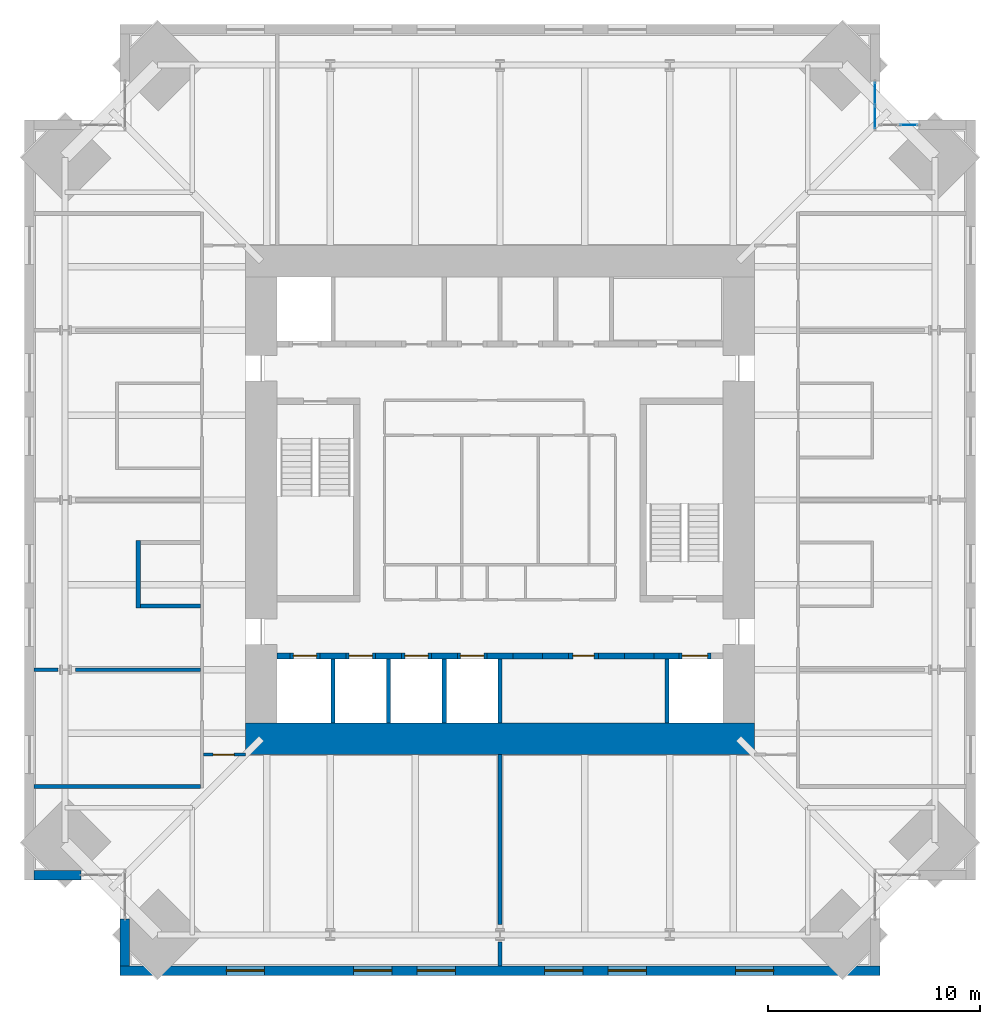
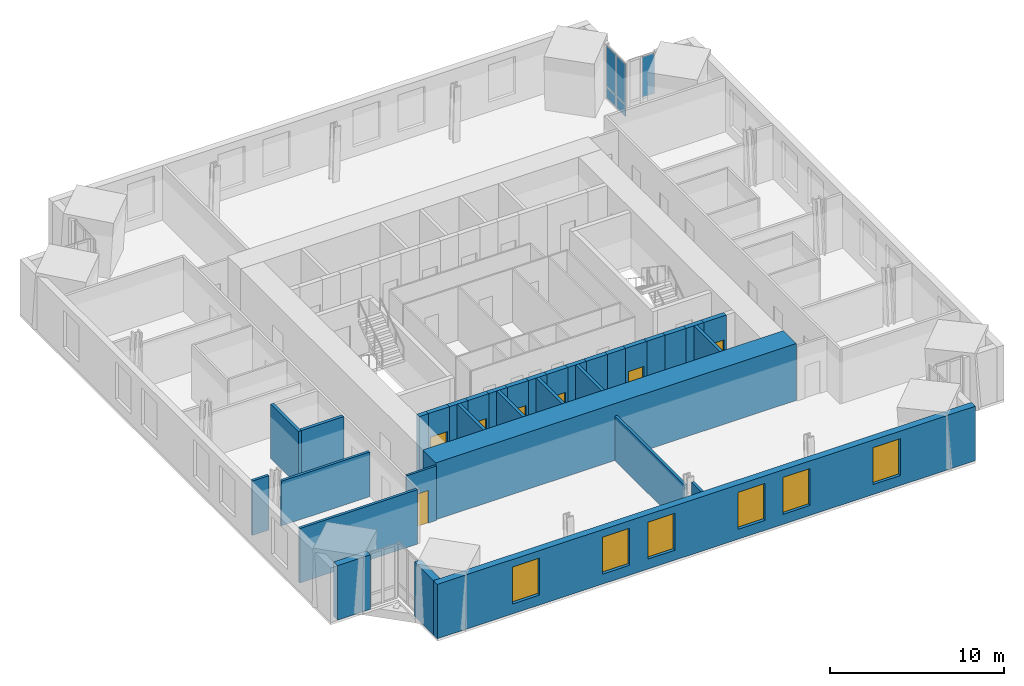
# One storey, part 12 of 17: 33 walls, 7 doors, 6 windows, 5 plates, 13 openings, 2 elements without a shape of their own.
"""IFC4 building model written with IfcOpenShell, lengths in metres."""

from ifc_helpers import new_model, si_unit, direction, frame, frame_2d, origin, origin_2d, place, context, subcontext, project, spatial, rectangle, extrude, material, layer, layer_set, type_object, element, fill, aggregate, save


model = new_model("IFC4")

# Units and contexts
model_context = context("Model", 3, precision=1e-05, world=origin(), true_north=direction((0.0, 1.0)))
body_context = subcontext(model_context, "Body", "Model", "MODEL_VIEW")
ifc_project = project(units=[si_unit("LENGTHUNIT", "METRE"), si_unit("AREAUNIT", "SQUARE_METRE"), si_unit("VOLUMEUNIT", "CUBIC_METRE"), si_unit("PLANEANGLEUNIT", "RADIAN"), si_unit("MASSUNIT", "GRAM", prefix="KILO")], contexts=[model_context])

# Site, building, storey
site_placement = place(None, origin())
site = spatial("IfcSite", under=ifc_project, at=site_placement, CompositionType="ELEMENT")
building_placement = place(site_placement, origin())
building = spatial("IfcBuilding", under=site, at=building_placement, Name="Peilmerk Tower", CompositionType="ELEMENT")
storey_placement = place(building_placement, frame((0.0, 0.0, 257.800048828125)))
storey = spatial("IfcBuildingStorey", under=building, at=storey_placement, Name="L57", CompositionType="ELEMENT", Elevation=257.800048828125)

# Curtain wall, plates
ifc_material_1 = material(Name="Aluminium stick curtain wall", Category="aluminium")
curtain_wall_type = type_object("IfcCurtainWallType", Name="CW4 stick curtain wall, 2250 module", PredefinedType="NOTDEFINED", material=ifc_material_1)
curtain_wall_1_placement = place(storey_placement, origin())
curtain_wall_1 = element("IfcCurtainWall", 1, at=curtain_wall_1_placement, inside=storey, type_object=curtain_wall_type, Name="Curtain wall CW4 NEA L57", PredefinedType="NOTDEFINED")
ifc_material_2 = material(Name="Clear insulated glazing unit", Category="glass")
ifc_layer_1 = layer(ifc_material_2, 0.028076171875)
ifc_layer_set_1 = layer_set([ifc_layer_1], Name="Clear insulated glazing unit")
plate_type = type_object("IfcPlateType", Name="CW4-P 28 glazed panel", PredefinedType="CURTAIN_PANEL", material=ifc_layer_set_1)
plate_1_placement = place(storey_placement, frame((17.675048828125, 18.038330078125, 0.06494140625), z_axis=(0.0, 0.0, 1.0), x_axis=(0.0, 1.0, 0.0)))
plate_1 = element("IfcPlate", 2, at=plate_1_placement, type_object=plate_type, Name="CW4 panel 1.1", PredefinedType="CURTAIN_PANEL", context=body_context, shape_type="SweptSolid", body=[
    extrude(rectangle(XDim=1.046875, YDim=0.028076171875, at=origin_2d()), origin(), (0.0, 0.0, 1.0), 0.802490234375),
])
plate_2_placement = place(storey_placement, frame((17.675048828125, 18.038330078125, 0.932373046875), z_axis=(0.0, 0.0, 1.0), x_axis=(0.0, 1.0, 0.0)))
plate_2 = element("IfcPlate", 3, at=plate_2_placement, type_object=plate_type, Name="CW4 panel 1.2", PredefinedType="CURTAIN_PANEL", context=body_context, shape_type="SweptSolid", body=[
    extrude(rectangle(XDim=1.046875, YDim=0.028076171875, at=origin_2d()), origin(), (0.0, 0.0, 1.0), 2.83251953125),
])
plate_3_placement = place(storey_placement, frame((17.675048828125, 19.150146484375, 0.06494140625), z_axis=(0.0, 0.0, 1.0), x_axis=(0.0, 1.0, 0.0)))
plate_3 = element("IfcPlate", 4, at=plate_3_placement, type_object=plate_type, Name="CW4 panel 2.1", PredefinedType="CURTAIN_PANEL", context=body_context, shape_type="SweptSolid", body=[
    extrude(rectangle(XDim=1.046875, YDim=0.028076171875, at=origin_2d()), origin(), (0.0, 0.0, 1.0), 0.802490234375),
])
plate_4_placement = place(storey_placement, frame((17.675048828125, 19.150146484375, 0.932373046875), z_axis=(0.0, 0.0, 1.0), x_axis=(0.0, 1.0, 0.0)))
plate_4 = element("IfcPlate", 5, at=plate_4_placement, type_object=plate_type, Name="CW4 panel 2.2", PredefinedType="CURTAIN_PANEL", context=body_context, shape_type="SweptSolid", body=[
    extrude(rectangle(XDim=1.046875, YDim=0.028076171875, at=origin_2d()), origin(), (0.0, 0.0, 1.0), 2.83251953125),
])
aggregate(curtain_wall_1, [plate_1, plate_2, plate_3, plate_4])

# Curtain wall, plate
curtain_wall_2_placement = place(storey_placement, origin())
curtain_wall_2 = element("IfcCurtainWall", 6, at=curtain_wall_2_placement, inside=storey, type_object=curtain_wall_type, Name="Curtain wall CW4 NEB L57", PredefinedType="NOTDEFINED")
plate_5_placement = place(storey_placement, frame((19.2626953125, 17.675048828125, 0.932373046875), z_axis=(0.0, 0.0, 1.0), x_axis=(1.0, 0.0, 0.0)))
plate_5 = element("IfcPlate", 7, at=plate_5_placement, type_object=plate_type, Name="CW4 panel 2.2", PredefinedType="CURTAIN_PANEL", context=body_context, shape_type="SweptSolid", body=[
    extrude(rectangle(XDim=0.82177734375, YDim=0.028076171875, at=origin_2d()), origin(), (0.0, 0.0, 1.0), 2.83251953125),
])
aggregate(curtain_wall_2, [plate_5])

# Wall, openings, windows
ifc_material_3 = material(Name="Precast concrete C45/55, board-marked finish", Category="concrete")
ifc_layer_2 = layer(ifc_material_3, 0.449951171875)
ifc_layer_set_2 = layer_set([ifc_layer_2], Name="Precast concrete C45/55, board-marked finish")
wall_type_1 = type_object("IfcWallType", Name="EW1 450 precast concrete facade wall, board-marked", PredefinedType="SOLIDWALL", material=ifc_layer_set_2)
wall_1_placement = place(storey_placement, frame((-17.89990234375, -22.175048828125, 0.0), z_axis=(0.0, 0.0, 1.0), x_axis=(1.0, 0.0, 0.0)))
wall_1 = element("IfcWall", 8, at=wall_1_placement, inside=storey, type_object=wall_type_1, Name="Facade wall S L57", PredefinedType="SOLIDWALL", context=body_context, shape_type="SweptSolid", body=[
    extrude(rectangle(XDim=35.7998046875, YDim=0.449951171875, at=frame_2d((17.89990234375, 0.0))), origin(), (0.0, 0.0, 1.0), 3.829833984375),
])
opening_1_placement = place(wall_1_placement, frame((5.0, 0.0, 0.699951171875)))
opening_1 = element("IfcOpeningElement", 9, at=opening_1_placement, cuts=wall_1, Name="Opening W1", PredefinedType="OPENING", context=body_context, shape_type="SweptSolid", body=[
    extrude(rectangle(XDim=1.800048828125, YDim=2.60009765625, at=frame_2d((0.89990234375, 1.300048828125))), frame((0.0, 0.23486328125, 0.0), z_axis=(0.0, -1.0, 0.0), x_axis=(1.0, 0.0, 0.0)), (0.0, 0.0, 1.0), 0.469970703125),
])
opening_2_placement = place(wall_1_placement, frame((11.0, 0.0, 0.699951171875)))
opening_2 = element("IfcOpeningElement", 10, at=opening_2_placement, cuts=wall_1, Name="Opening W1", PredefinedType="OPENING", context=body_context, shape_type="SweptSolid", body=[
    extrude(rectangle(XDim=1.800048828125, YDim=2.60009765625, at=frame_2d((0.89990234375, 1.300048828125))), frame((0.0, 0.23486328125, 0.0), z_axis=(0.0, -1.0, 0.0), x_axis=(1.0, 0.0, 0.0)), (0.0, 0.0, 1.0), 0.469970703125),
])
opening_3_placement = place(wall_1_placement, frame((14.0, 0.0, 0.699951171875)))
opening_3 = element("IfcOpeningElement", 11, at=opening_3_placement, cuts=wall_1, Name="Opening W1", PredefinedType="OPENING", context=body_context, shape_type="SweptSolid", body=[
    extrude(rectangle(XDim=1.800048828125, YDim=2.60009765625, at=frame_2d((0.89990234375, 1.300048828125))), frame((0.0, 0.23486328125, 0.0), z_axis=(0.0, -1.0, 0.0), x_axis=(1.0, 0.0, 0.0)), (0.0, 0.0, 1.0), 0.469970703125),
])
opening_4_placement = place(wall_1_placement, frame((20.0, 0.0, 0.699951171875)))
opening_4 = element("IfcOpeningElement", 12, at=opening_4_placement, cuts=wall_1, Name="Opening W1", PredefinedType="OPENING", context=body_context, shape_type="SweptSolid", body=[
    extrude(rectangle(XDim=1.800048828125, YDim=2.60009765625, at=frame_2d((0.89990234375, 1.300048828125))), frame((0.0, 0.23486328125, 0.0), z_axis=(0.0, -1.0, 0.0), x_axis=(1.0, 0.0, 0.0)), (0.0, 0.0, 1.0), 0.469970703125),
])
opening_5_placement = place(wall_1_placement, frame((23.0, 0.0, 0.699951171875)))
opening_5 = element("IfcOpeningElement", 13, at=opening_5_placement, cuts=wall_1, Name="Opening W1", PredefinedType="OPENING", context=body_context, shape_type="SweptSolid", body=[
    extrude(rectangle(XDim=1.800048828125, YDim=2.60009765625, at=frame_2d((0.89990234375, 1.300048828125))), frame((0.0, 0.23486328125, 0.0), z_axis=(0.0, -1.0, 0.0), x_axis=(1.0, 0.0, 0.0)), (0.0, 0.0, 1.0), 0.469970703125),
])
opening_6_placement = place(wall_1_placement, frame((29.0, 0.0, 0.699951171875)))
opening_6 = element("IfcOpeningElement", 14, at=opening_6_placement, cuts=wall_1, Name="Opening W1", PredefinedType="OPENING", context=body_context, shape_type="SweptSolid", body=[
    extrude(rectangle(XDim=1.800048828125, YDim=2.60009765625, at=frame_2d((0.89990234375, 1.300048828125))), frame((0.0, 0.23486328125, 0.0), z_axis=(0.0, -1.0, 0.0), x_axis=(1.0, 0.0, 0.0)), (0.0, 0.0, 1.0), 0.469970703125),
])
ifc_material_4 = material(Name="Aluminium frame, clear double glazing", Category="aluminium")
window_type = type_object("IfcWindowType", Name="W1 1800x2600 office window", PartitioningType="SINGLE_PANEL", PredefinedType="WINDOW", material=ifc_material_4)
window_1_placement = place(opening_1_placement, origin())
window_1 = element("IfcWindow", 15, at=window_1_placement, inside=storey, type_object=window_type, Name="Window W1 L57", OverallHeight=2.60009765625, OverallWidth=1.800048828125, PartitioningType="SINGLE_PANEL", PredefinedType="WINDOW", context=body_context, shape_type="SweptSolid", body=[
    extrude(rectangle(XDim=1.800048828125, YDim=2.60009765625, at=frame_2d((0.89990234375, 1.300048828125))), frame((0.0, 0.030029296875, 0.0), z_axis=(0.0, -1.0, 0.0), x_axis=(1.0, 0.0, 0.0)), (0.0, 0.0, 1.0), 0.06005859375),
])
fill(opening_1, window_1)
window_2_placement = place(opening_2_placement, origin())
window_2 = element("IfcWindow", 16, at=window_2_placement, inside=storey, type_object=window_type, Name="Window W1 L57", OverallHeight=2.60009765625, OverallWidth=1.800048828125, PartitioningType="SINGLE_PANEL", PredefinedType="WINDOW", context=body_context, shape_type="SweptSolid", body=[
    extrude(rectangle(XDim=1.800048828125, YDim=2.60009765625, at=frame_2d((0.89990234375, 1.300048828125))), frame((0.0, 0.030029296875, 0.0), z_axis=(0.0, -1.0, 0.0), x_axis=(1.0, 0.0, 0.0)), (0.0, 0.0, 1.0), 0.06005859375),
])
fill(opening_2, window_2)
window_3_placement = place(opening_3_placement, origin())
window_3 = element("IfcWindow", 17, at=window_3_placement, inside=storey, type_object=window_type, Name="Window W1 L57", OverallHeight=2.60009765625, OverallWidth=1.800048828125, PartitioningType="SINGLE_PANEL", PredefinedType="WINDOW", context=body_context, shape_type="SweptSolid", body=[
    extrude(rectangle(XDim=1.800048828125, YDim=2.60009765625, at=frame_2d((0.89990234375, 1.300048828125))), frame((0.0, 0.030029296875, 0.0), z_axis=(0.0, -1.0, 0.0), x_axis=(1.0, 0.0, 0.0)), (0.0, 0.0, 1.0), 0.06005859375),
])
fill(opening_3, window_3)
window_4_placement = place(opening_4_placement, origin())
window_4 = element("IfcWindow", 18, at=window_4_placement, inside=storey, type_object=window_type, Name="Window W1 L57", OverallHeight=2.60009765625, OverallWidth=1.800048828125, PartitioningType="SINGLE_PANEL", PredefinedType="WINDOW", context=body_context, shape_type="SweptSolid", body=[
    extrude(rectangle(XDim=1.800048828125, YDim=2.60009765625, at=frame_2d((0.89990234375, 1.300048828125))), frame((0.0, 0.030029296875, 0.0), z_axis=(0.0, -1.0, 0.0), x_axis=(1.0, 0.0, 0.0)), (0.0, 0.0, 1.0), 0.06005859375),
])
fill(opening_4, window_4)
window_5_placement = place(opening_5_placement, origin())
window_5 = element("IfcWindow", 19, at=window_5_placement, inside=storey, type_object=window_type, Name="Window W1 L57", OverallHeight=2.60009765625, OverallWidth=1.800048828125, PartitioningType="SINGLE_PANEL", PredefinedType="WINDOW", context=body_context, shape_type="SweptSolid", body=[
    extrude(rectangle(XDim=1.800048828125, YDim=2.60009765625, at=frame_2d((0.89990234375, 1.300048828125))), frame((0.0, 0.030029296875, 0.0), z_axis=(0.0, -1.0, 0.0), x_axis=(1.0, 0.0, 0.0)), (0.0, 0.0, 1.0), 0.06005859375),
])
fill(opening_5, window_5)
window_6_placement = place(opening_6_placement, origin())
window_6 = element("IfcWindow", 20, at=window_6_placement, inside=storey, type_object=window_type, Name="Window W1 L57", OverallHeight=2.60009765625, OverallWidth=1.800048828125, PartitioningType="SINGLE_PANEL", PredefinedType="WINDOW", context=body_context, shape_type="SweptSolid", body=[
    extrude(rectangle(XDim=1.800048828125, YDim=2.60009765625, at=frame_2d((0.89990234375, 1.300048828125))), frame((0.0, 0.030029296875, 0.0), z_axis=(0.0, -1.0, 0.0), x_axis=(1.0, 0.0, 0.0)), (0.0, 0.0, 1.0), 0.06005859375),
])
fill(opening_6, window_6)

# Walls
for number, where, z_axis, x_axis, name in (
    (21, (-17.675048828125, -19.753662109375, 0.0), (0.0, 0.0, 1.0), (0.0, -1.0, 0.0), "Facade wall SWA L57"),
    (22, (-19.753662109375, -17.675048828125, 0.0), (0.0, 0.0, 1.0), (-1.0, 0.0, 0.0), "Facade wall SWB L57"),
):
    element("IfcWall", number, at=place(storey_placement, frame(where, z_axis=z_axis, x_axis=x_axis)), inside=storey, type_object=wall_type_1, Name=name, PredefinedType="SOLIDWALL", context=body_context, shape_type="SweptSolid", body=[
        extrude(rectangle(XDim=2.1962890625, YDim=0.449951171875, at=frame_2d((1.09814453125, 0.0))), origin(), (0.0, 0.0, 1.0), 3.829833984375),
    ])

# Wall, opening, door
ifc_material_5 = material(Name="Calcium silicate block", Category="masonry")
ifc_layer_3 = layer(ifc_material_5, 0.14990234375)
ifc_layer_set_3 = layer_set([ifc_layer_3], Name="Calcium silicate block")
wall_type_2 = type_object("IfcWallType", Name="IW1 150 corridor partition, EI 60", PredefinedType="PARTITIONING", material=ifc_layer_set_3)
wall_2_placement = place(storey_placement, frame((-12.0, -12.0, 0.0), z_axis=(0.0, 0.0, 1.0), x_axis=(-1.0, 0.0, 0.0)))
wall_2 = element("IfcWall", 23, at=wall_2_placement, inside=storey, type_object=wall_type_2, Name="Corridor wall SW L57", PredefinedType="PARTITIONING", context=body_context, shape_type="SweptSolid", body=[
    extrude(rectangle(XDim=1.97509765625, YDim=0.14990234375, at=frame_2d((0.987548828125, 0.0))), origin(), (0.0, 0.0, 1.0), 3.829833984375),
])
opening_7_placement = place(wall_2_placement, frame((0.52490234375, 0.0, 0.0)))
opening_7 = element("IfcOpeningElement", 24, at=opening_7_placement, cuts=wall_2, Name="Opening D1", PredefinedType="OPENING", context=body_context, shape_type="SweptSolid", body=[
    extrude(rectangle(XDim=1.0, YDim=2.300048828125, at=frame_2d((0.5, 1.14990234375))), frame((0.0, 0.0849609375, 0.0), z_axis=(0.0, -1.0, 0.0), x_axis=(1.0, 0.0, 0.0)), (0.0, 0.0, 1.0), 0.169921875),
])
ifc_material_6 = material(Name="Timber door in steel frame", Category="steel")
door_type_1 = type_object("IfcDoorType", Name="D1 1000x2300 room door, EI2 30", OperationType="SINGLE_SWING_LEFT", PredefinedType="DOOR", material=ifc_material_6)
door_1_placement = place(opening_7_placement, origin())
door_1 = element("IfcDoor", 25, at=door_1_placement, inside=storey, type_object=door_type_1, Name="Door Office L57", OperationType="SINGLE_SWING_LEFT", OverallHeight=2.300048828125, OverallWidth=1.0, PredefinedType="DOOR", context=body_context, shape_type="SweptSolid", body=[
    extrude(rectangle(XDim=1.0, YDim=2.300048828125, at=frame_2d((0.5, 1.14990234375))), frame((0.0, 0.02490234375, 0.0), z_axis=(0.0, -1.0, 0.0), x_axis=(1.0, 0.0, 0.0)), (0.0, 0.0, 1.0), 0.050048828125),
])
fill(opening_7, door_1)

# Walls
ifc_layer_4 = layer(ifc_material_5, 0.199951171875)
ifc_layer_set_4 = layer_set([ifc_layer_4], Name="Calcium silicate block")
wall_type_3 = type_object("IfcWallType", Name="IW2 200 room separating wall, EI 120", PredefinedType="PARTITIONING", material=ifc_layer_set_4)
wall_3_placement = place(storey_placement, frame((-17.050048828125, -5.10009765625, 0.0), z_axis=(0.0, 0.0, 1.0), x_axis=(0.0, 1.0, 0.0)))
element("IfcWall", 26, at=wall_3_placement, inside=storey, type_object=wall_type_3, Name="Room separating wall Print room L57", PredefinedType="PARTITIONING", context=body_context, shape_type="SweptSolid", body=[
    extrude(rectangle(XDim=3.2001953125, YDim=0.199951171875, at=frame_2d((1.60009765625, 0.0))), origin(), (0.0, 0.0, 1.0), 3.829833984375),
])
wall_4_placement = place(storey_placement, frame((-14.125, -5.0, 0.0), z_axis=(0.0, 0.0, 1.0), x_axis=(-1.0, 0.0, 0.0)))
element("IfcWall", 27, at=wall_4_placement, inside=storey, type_object=wall_type_3, Name="Room separating wall Print room L57", PredefinedType="PARTITIONING", context=body_context, shape_type="SweptSolid", body=[
    extrude(rectangle(XDim=2.824951171875, YDim=0.199951171875, at=frame_2d((1.41259765625, 0.0))), origin(), (0.0, 0.0, 1.0), 3.829833984375),
])
ifc_layer_5 = layer(ifc_material_5, 0.175048828125)
ifc_layer_set_5 = layer_set([ifc_layer_5], Name="Calcium silicate block")
wall_type_4 = type_object("IfcWallType", Name="IW8 175 tenant separating wall, EI 60", PredefinedType="PARTITIONING", material=ifc_layer_set_5)
wall_5_placement = place(storey_placement, frame((-14.125, -13.5, 0.0), z_axis=(0.0, 0.0, 1.0), x_axis=(-1.0, 0.0, 0.0)))
element("IfcWall", 28, at=wall_5_placement, inside=storey, type_object=wall_type_4, Name="Tenant separating wall SW L57", PredefinedType="PARTITIONING", context=body_context, shape_type="SweptSolid", body=[
    extrude(rectangle(XDim=7.824951171875, YDim=0.175048828125, at=frame_2d((3.91259765625, 0.0))), origin(), (0.0, 0.0, 1.0), 3.829833984375),
])
wall_6_placement = place(storey_placement, frame((0.0, -12.0, 0.0), z_axis=(0.0, 0.0, 1.0), x_axis=(0.0, -1.0, 0.0)))
element("IfcWall", 29, at=wall_6_placement, inside=storey, type_object=wall_type_4, Name="Tenant separating wall S1 L57", PredefinedType="PARTITIONING", context=body_context, shape_type="SweptSolid", body=[
    extrude(rectangle(XDim=8.0107421875, YDim=0.175048828125, at=frame_2d((4.00537109375, 0.0))), origin(), (0.0, 0.0, 1.0), 3.139892578125),
])
wall_7_placement = place(storey_placement, frame((0.0, -20.831298828125, 0.0), z_axis=(0.0, 0.0, 1.0), x_axis=(0.0, -1.0, 0.0)))
element("IfcWall", 30, at=wall_7_placement, inside=storey, type_object=wall_type_4, Name="Tenant separating wall S1b L57", PredefinedType="PARTITIONING", context=body_context, shape_type="SweptSolid", body=[
    extrude(rectangle(XDim=1.11865234375, YDim=0.175048828125, at=frame_2d((0.559326171875, 0.0))), origin(), (0.0, 0.0, 1.0), 3.829833984375),
])
wall_8_placement = place(storey_placement, frame((-14.125, -8.0, 0.0), z_axis=(0.0, 0.0, 1.0), x_axis=(-1.0, 0.0, 0.0)))
element("IfcWall", 31, at=wall_8_placement, inside=storey, type_object=wall_type_4, Name="Tenant separating wall W1 L57", PredefinedType="PARTITIONING", context=body_context, shape_type="SweptSolid", body=[
    extrude(rectangle(XDim=5.8857421875, YDim=0.175048828125, at=frame_2d((2.94287109375, 0.0))), origin(), (0.0, 0.0, 1.0), 3.139892578125),
])
wall_9_placement = place(storey_placement, frame((-20.831298828125, -8.0, 0.0), z_axis=(0.0, 0.0, 1.0), x_axis=(-1.0, 0.0, 0.0)))
element("IfcWall", 32, at=wall_9_placement, inside=storey, type_object=wall_type_4, Name="Tenant separating wall W1b L57", PredefinedType="PARTITIONING", context=body_context, shape_type="SweptSolid", body=[
    extrude(rectangle(XDim=1.11865234375, YDim=0.175048828125, at=frame_2d((0.559326171875, 0.0))), origin(), (0.0, 0.0, 1.0), 3.829833984375),
])
ifc_layer_6 = layer(ifc_material_5, 0.199951171875)
ifc_layer_set_6 = layer_set([ifc_layer_6], Name="Calcium silicate block")
wall_type_5 = type_object("IfcWallType", Name="SH1 200 shaft dividing wall, EI 120", PredefinedType="PARTITIONING", material=ifc_layer_set_6)
for number, where, z_axis, x_axis, name in (
    (33, (-7.875, -10.5, 0.0), (0.0, 0.0, 1.0), (0.0, 1.0, 0.0), "Shaft wall S C4 L57"),
    (34, (-5.25, -10.5, 0.0), (0.0, 0.0, 1.0), (0.0, 1.0, 0.0), "Shaft wall S C3 L57"),
    (35, (-2.625, -10.5, 0.0), (0.0, 0.0, 1.0), (0.0, 1.0, 0.0), "Shaft wall S C2 L57"),
    (36, (0.0, -10.5, 0.0), (0.0, 0.0, 1.0), (0.0, 1.0, 0.0), "Shaft wall S C1 L57"),
    (37, (7.875, -10.5, 0.0), (0.0, 0.0, 1.0), (0.0, 1.0, 0.0), "Shaft wall S B1 L57"),
):
    element("IfcWall", number, at=place(storey_placement, frame(where, z_axis=z_axis, x_axis=x_axis)), inside=storey, type_object=wall_type_5, Name=name, PredefinedType="PARTITIONING", context=body_context, shape_type="SweptSolid", body=[
        extrude(rectangle(XDim=3.0, YDim=0.199951171875, at=frame_2d((1.5, 0.0))), origin(), (0.0, 0.0, 1.0), 4.0),
    ])

# Wall, opening, door
ifc_layer_7 = layer(ifc_material_5, 0.300048828125)
ifc_layer_set_7 = layer_set([ifc_layer_7], Name="Calcium silicate block")
wall_type_6 = type_object("IfcWallType", Name="SH2 300 lift landing door panel, EI 120", PredefinedType="PARTITIONING", material=ifc_layer_set_7)
wall_10_placement = place(storey_placement, frame((-9.887451171875, -7.35009765625, 0.0), z_axis=(0.0, 0.0, 1.0), x_axis=(1.0, 0.0, 0.0)))
wall_10 = element("IfcWall", 38, at=wall_10_placement, inside=storey, type_object=wall_type_6, Name="Lift door panel S C4 L57", PredefinedType="PARTITIONING", context=body_context, shape_type="SweptSolid", body=[
    extrude(rectangle(XDim=1.39990234375, YDim=0.300048828125, at=frame_2d((0.699951171875, 0.0))), origin(), (0.0, 0.0, 1.0), 4.0),
])
opening_8_placement = place(wall_10_placement, frame((0.14990234375, 0.0, 0.0)))
opening_8 = element("IfcOpeningElement", 39, at=opening_8_placement, cuts=wall_10, Name="Opening LD1", PredefinedType="OPENING", context=body_context, shape_type="SweptSolid", body=[
    extrude(rectangle(XDim=1.10009765625, YDim=2.300048828125, at=frame_2d((0.550048828125, 1.14990234375))), frame((0.0, 0.159912109375, 0.0), z_axis=(0.0, -1.0, 0.0), x_axis=(1.0, 0.0, 0.0)), (0.0, 0.0, 1.0), 0.320068359375),
])
ifc_material_7 = material(Name="Stainless steel landing door", Category="steel")
door_type_2 = type_object("IfcDoorType", Name="LD1 1100x2300 lift landing door, sliding, EI2 60", OperationType="SLIDING_TO_LEFT", PredefinedType="DOOR", material=ifc_material_7)
door_2_placement = place(opening_8_placement, origin())
door_2 = element("IfcDoor", 40, at=door_2_placement, inside=storey, type_object=door_type_2, Name="Lift landing door C4 L57", OperationType="SLIDING_TO_LEFT", OverallHeight=2.300048828125, OverallWidth=1.10009765625, PredefinedType="DOOR", context=body_context, shape_type="SweptSolid", body=[
    extrude(rectangle(XDim=1.10009765625, YDim=2.300048828125, at=frame_2d((0.550048828125, 1.14990234375))), frame((0.0, 0.02490234375, 0.0), z_axis=(0.0, -1.0, 0.0), x_axis=(1.0, 0.0, 0.0)), (0.0, 0.0, 1.0), 0.050048828125),
])
fill(opening_8, door_2)

wall_11_placement = place(storey_placement, frame((-7.262451171875, -7.35009765625, 0.0), z_axis=(0.0, 0.0, 1.0), x_axis=(1.0, 0.0, 0.0)))
wall_11 = element("IfcWall", 41, at=wall_11_placement, inside=storey, type_object=wall_type_6, Name="Lift door panel S C3 L57", PredefinedType="PARTITIONING", context=body_context, shape_type="SweptSolid", body=[
    extrude(rectangle(XDim=1.39990234375, YDim=0.300048828125, at=frame_2d((0.699951171875, 0.0))), origin(), (0.0, 0.0, 1.0), 4.0),
])
opening_9_placement = place(wall_11_placement, frame((0.14990234375, 0.0, 0.0)))
opening_9 = element("IfcOpeningElement", 42, at=opening_9_placement, cuts=wall_11, Name="Opening LD1", PredefinedType="OPENING", context=body_context, shape_type="SweptSolid", body=[
    extrude(rectangle(XDim=1.10009765625, YDim=2.300048828125, at=frame_2d((0.550048828125, 1.14990234375))), frame((0.0, 0.159912109375, 0.0), z_axis=(0.0, -1.0, 0.0), x_axis=(1.0, 0.0, 0.0)), (0.0, 0.0, 1.0), 0.320068359375),
])
door_3_placement = place(opening_9_placement, origin())
door_3 = element("IfcDoor", 43, at=door_3_placement, inside=storey, type_object=door_type_2, Name="Lift landing door C3 L57", OperationType="SLIDING_TO_LEFT", OverallHeight=2.300048828125, OverallWidth=1.10009765625, PredefinedType="DOOR", context=body_context, shape_type="SweptSolid", body=[
    extrude(rectangle(XDim=1.10009765625, YDim=2.300048828125, at=frame_2d((0.550048828125, 1.14990234375))), frame((0.0, 0.02490234375, 0.0), z_axis=(0.0, -1.0, 0.0), x_axis=(1.0, 0.0, 0.0)), (0.0, 0.0, 1.0), 0.050048828125),
])
fill(opening_9, door_3)

wall_12_placement = place(storey_placement, frame((-4.637451171875, -7.35009765625, 0.0), z_axis=(0.0, 0.0, 1.0), x_axis=(1.0, 0.0, 0.0)))
wall_12 = element("IfcWall", 44, at=wall_12_placement, inside=storey, type_object=wall_type_6, Name="Lift door panel S C2 L57", PredefinedType="PARTITIONING", context=body_context, shape_type="SweptSolid", body=[
    extrude(rectangle(XDim=1.39990234375, YDim=0.300048828125, at=frame_2d((0.699951171875, 0.0))), origin(), (0.0, 0.0, 1.0), 4.0),
])
opening_10_placement = place(wall_12_placement, frame((0.14990234375, 0.0, 0.0)))
opening_10 = element("IfcOpeningElement", 45, at=opening_10_placement, cuts=wall_12, Name="Opening LD1", PredefinedType="OPENING", context=body_context, shape_type="SweptSolid", body=[
    extrude(rectangle(XDim=1.10009765625, YDim=2.300048828125, at=frame_2d((0.550048828125, 1.14990234375))), frame((0.0, 0.159912109375, 0.0), z_axis=(0.0, -1.0, 0.0), x_axis=(1.0, 0.0, 0.0)), (0.0, 0.0, 1.0), 0.320068359375),
])
door_4_placement = place(opening_10_placement, origin())
door_4 = element("IfcDoor", 46, at=door_4_placement, inside=storey, type_object=door_type_2, Name="Lift landing door C2 L57", OperationType="SLIDING_TO_LEFT", OverallHeight=2.300048828125, OverallWidth=1.10009765625, PredefinedType="DOOR", context=body_context, shape_type="SweptSolid", body=[
    extrude(rectangle(XDim=1.10009765625, YDim=2.300048828125, at=frame_2d((0.550048828125, 1.14990234375))), frame((0.0, 0.02490234375, 0.0), z_axis=(0.0, -1.0, 0.0), x_axis=(1.0, 0.0, 0.0)), (0.0, 0.0, 1.0), 0.050048828125),
])
fill(opening_10, door_4)

wall_13_placement = place(storey_placement, frame((-2.012451171875, -7.35009765625, 0.0), z_axis=(0.0, 0.0, 1.0), x_axis=(1.0, 0.0, 0.0)))
wall_13 = element("IfcWall", 47, at=wall_13_placement, inside=storey, type_object=wall_type_6, Name="Lift door panel S C1 L57", PredefinedType="PARTITIONING", context=body_context, shape_type="SweptSolid", body=[
    extrude(rectangle(XDim=1.39990234375, YDim=0.300048828125, at=frame_2d((0.699951171875, 0.0))), origin(), (0.0, 0.0, 1.0), 4.0),
])
opening_11_placement = place(wall_13_placement, frame((0.14990234375, 0.0, 0.0)))
opening_11 = element("IfcOpeningElement", 48, at=opening_11_placement, cuts=wall_13, Name="Opening LD1", PredefinedType="OPENING", context=body_context, shape_type="SweptSolid", body=[
    extrude(rectangle(XDim=1.10009765625, YDim=2.300048828125, at=frame_2d((0.550048828125, 1.14990234375))), frame((0.0, 0.159912109375, 0.0), z_axis=(0.0, -1.0, 0.0), x_axis=(1.0, 0.0, 0.0)), (0.0, 0.0, 1.0), 0.320068359375),
])
door_5_placement = place(opening_11_placement, origin())
door_5 = element("IfcDoor", 49, at=door_5_placement, inside=storey, type_object=door_type_2, Name="Lift landing door C1 L57", OperationType="SLIDING_TO_LEFT", OverallHeight=2.300048828125, OverallWidth=1.10009765625, PredefinedType="DOOR", context=body_context, shape_type="SweptSolid", body=[
    extrude(rectangle(XDim=1.10009765625, YDim=2.300048828125, at=frame_2d((0.550048828125, 1.14990234375))), frame((0.0, 0.02490234375, 0.0), z_axis=(0.0, -1.0, 0.0), x_axis=(1.0, 0.0, 0.0)), (0.0, 0.0, 1.0), 0.050048828125),
])
fill(opening_11, door_5)

# Wall
wall_14_placement = place(storey_placement, frame((0.612548828125, -7.35009765625, 0.0), z_axis=(0.0, 0.0, 1.0), x_axis=(1.0, 0.0, 0.0)))
element("IfcWall", 50, at=wall_14_placement, inside=storey, type_object=wall_type_6, Name="Lift door panel S B3 L57", PredefinedType="PARTITIONING", context=body_context, shape_type="SweptSolid", body=[
    extrude(rectangle(XDim=1.39990234375, YDim=0.300048828125, at=frame_2d((0.699951171875, 0.0))), origin(), (0.0, 0.0, 1.0), 4.0),
])

# Wall, opening, door
wall_15_placement = place(storey_placement, frame((3.237548828125, -7.35009765625, 0.0), z_axis=(0.0, 0.0, 1.0), x_axis=(1.0, 0.0, 0.0)))
wall_15 = element("IfcWall", 51, at=wall_15_placement, inside=storey, type_object=wall_type_6, Name="Lift door panel S B2 L57", PredefinedType="PARTITIONING", context=body_context, shape_type="SweptSolid", body=[
    extrude(rectangle(XDim=1.39990234375, YDim=0.300048828125, at=frame_2d((0.699951171875, 0.0))), origin(), (0.0, 0.0, 1.0), 4.0),
])
opening_12_placement = place(wall_15_placement, frame((0.199951171875, 0.0, 0.0)))
opening_12 = element("IfcOpeningElement", 52, at=opening_12_placement, cuts=wall_15, Name="Opening D10", PredefinedType="OPENING", context=body_context, shape_type="SweptSolid", body=[
    extrude(rectangle(XDim=1.0, YDim=2.300048828125, at=frame_2d((0.5, 1.14990234375))), frame((0.0, 0.159912109375, 0.0), z_axis=(0.0, -1.0, 0.0), x_axis=(1.0, 0.0, 0.0)), (0.0, 0.0, 1.0), 0.320068359375),
])
ifc_material_8 = material(Name="Steel door in steel frame", Category="steel")
door_type_3 = type_object("IfcDoorType", Name="D10 1000x2300 core room door, EI2 60", OperationType="SINGLE_SWING_RIGHT", PredefinedType="DOOR", material=ifc_material_8)
door_6_placement = place(opening_12_placement, frame((1.0, 0.0, 0.0), z_axis=(0.0, 0.0, 1.0), x_axis=(-1.0, 0.0, 0.0)))
door_6 = element("IfcDoor", 53, at=door_6_placement, inside=storey, type_object=door_type_3, Name="Door Mail room L57", OperationType="SINGLE_SWING_RIGHT", OverallHeight=2.300048828125, OverallWidth=1.0, PredefinedType="DOOR", context=body_context, shape_type="SweptSolid", body=[
    extrude(rectangle(XDim=1.0, YDim=2.300048828125, at=frame_2d((0.5, 1.14990234375))), frame((0.0, 0.02490234375, 0.0), z_axis=(0.0, -1.0, 0.0), x_axis=(1.0, 0.0, 0.0)), (0.0, 0.0, 1.0), 0.050048828125),
])
fill(opening_12, door_6)

# Wall
wall_16_placement = place(storey_placement, frame((5.862548828125, -7.35009765625, 0.0), z_axis=(0.0, 0.0, 1.0), x_axis=(1.0, 0.0, 0.0)))
element("IfcWall", 54, at=wall_16_placement, inside=storey, type_object=wall_type_6, Name="Lift door panel S B1 L57", PredefinedType="PARTITIONING", context=body_context, shape_type="SweptSolid", body=[
    extrude(rectangle(XDim=1.39990234375, YDim=0.300048828125, at=frame_2d((0.699951171875, 0.0))), origin(), (0.0, 0.0, 1.0), 4.0),
])

# Wall, opening, door
wall_17_placement = place(storey_placement, frame((8.4375, -7.35009765625, 0.0), z_axis=(0.0, 0.0, 1.0), x_axis=(1.0, 0.0, 0.0)))
wall_17 = element("IfcWall", 55, at=wall_17_placement, inside=storey, type_object=wall_type_6, Name="Lift door panel S FL2 L57", PredefinedType="PARTITIONING", context=body_context, shape_type="SweptSolid", body=[
    extrude(rectangle(XDim=1.5, YDim=0.300048828125, at=frame_2d((0.75, 0.0))), origin(), (0.0, 0.0, 1.0), 4.0),
])
opening_13_placement = place(wall_17_placement, frame((0.14990234375, 0.0, 0.0)))
opening_13 = element("IfcOpeningElement", 56, at=opening_13_placement, cuts=wall_17, Name="Opening LD2", PredefinedType="OPENING", context=body_context, shape_type="SweptSolid", body=[
    extrude(rectangle(XDim=1.199951171875, YDim=2.300048828125, at=frame_2d((0.60009765625, 1.14990234375))), frame((0.0, 0.159912109375, 0.0), z_axis=(0.0, -1.0, 0.0), x_axis=(1.0, 0.0, 0.0)), (0.0, 0.0, 1.0), 0.320068359375),
])
door_type_4 = type_object("IfcDoorType", Name="LD2 1200x2300 lift landing door, sliding, EI2 60", OperationType="SLIDING_TO_LEFT", PredefinedType="DOOR", material=ifc_material_7)
door_7_placement = place(opening_13_placement, origin())
door_7 = element("IfcDoor", 57, at=door_7_placement, inside=storey, type_object=door_type_4, Name="Lift landing door FL2 L57", OperationType="SLIDING_TO_LEFT", OverallHeight=2.300048828125, OverallWidth=1.199951171875, PredefinedType="DOOR", context=body_context, shape_type="SweptSolid", body=[
    extrude(rectangle(XDim=1.199951171875, YDim=2.300048828125, at=frame_2d((0.60009765625, 1.14990234375))), frame((0.0, 0.02490234375, 0.0), z_axis=(0.0, -1.0, 0.0), x_axis=(1.0, 0.0, 0.0)), (0.0, 0.0, 1.0), 0.050048828125),
])
fill(opening_13, door_7)

# Walls
ifc_material_9 = material(Name="Concrete C55/67", Category="concrete")
ifc_layer_8 = layer(ifc_material_9, 1.5)
ifc_layer_set_8 = layer_set([ifc_layer_8], Name="Concrete C55/67")
wall_type_7 = type_object("IfcWallType", Name="SW1 1500 core wall", PredefinedType="SHEAR", material=ifc_layer_set_8)
wall_18_placement = place(storey_placement, frame((12.0, -11.25, 0.0), z_axis=(0.0, 0.0, 1.0), x_axis=(-1.0, 0.0, 0.0)))
element("IfcWall", 58, at=wall_18_placement, inside=storey, type_object=wall_type_7, Name="Core wall S L57", PredefinedType="SHEAR", context=body_context, shape_type="SweptSolid", body=[
    extrude(rectangle(XDim=24.0, YDim=1.5, at=frame_2d((12.0, 0.0))), origin(), (0.0, 0.0, 1.0), 4.0),
])
ifc_layer_9 = layer(ifc_material_9, 0.300048828125)
ifc_layer_set_9 = layer_set([ifc_layer_9], Name="Concrete C55/67")
wall_type_8 = type_object("IfcWallType", Name="SW2 300 lift bank pier", PredefinedType="SHEAR", material=ifc_layer_set_9)
wall_19_placement = place(storey_placement, frame((-10.5, -7.35009765625, 0.0), z_axis=(0.0, 0.0, 1.0), x_axis=(1.0, 0.0, 0.0)))
element("IfcWall", 59, at=wall_19_placement, inside=storey, type_object=wall_type_8, Name="Lift bank pier S L57", PredefinedType="SHEAR", context=body_context, shape_type="SweptSolid", body=[
    extrude(rectangle(XDim=0.612548828125, YDim=0.300048828125, at=frame_2d((0.30615234375, 0.0))), origin(), (0.0, 0.0, 1.0), 4.0),
])
for number, where, z_axis, x_axis, name in (
    (60, (-8.487548828125, -7.35009765625, 0.0), (0.0, 0.0, 1.0), (1.0, 0.0, 0.0), "Lift bank pier S L57"),
    (61, (-5.862548828125, -7.35009765625, 0.0), (0.0, 0.0, 1.0), (1.0, 0.0, 0.0), "Lift bank pier S L57"),
    (62, (-3.237548828125, -7.35009765625, 0.0), (0.0, 0.0, 1.0), (1.0, 0.0, 0.0), "Lift bank pier S L57"),
    (63, (-0.612548828125, -7.35009765625, 0.0), (0.0, 0.0, 1.0), (1.0, 0.0, 0.0), "Lift bank pier S L57"),
    (64, (2.012451171875, -7.35009765625, 0.0), (0.0, 0.0, 1.0), (1.0, 0.0, 0.0), "Lift bank pier S L57"),
    (65, (4.637451171875, -7.35009765625, 0.0), (0.0, 0.0, 1.0), (1.0, 0.0, 0.0), "Lift bank pier S L57"),
):
    element("IfcWall", number, at=place(storey_placement, frame(where, z_axis=z_axis, x_axis=x_axis)), inside=storey, type_object=wall_type_8, Name=name, PredefinedType="SHEAR", context=body_context, shape_type="SweptSolid", body=[
        extrude(rectangle(XDim=1.22509765625, YDim=0.300048828125, at=frame_2d((0.612548828125, 0.0))), origin(), (0.0, 0.0, 1.0), 4.0),
    ])
wall_20_placement = place(storey_placement, frame((7.262451171875, -7.35009765625, 0.0), z_axis=(0.0, 0.0, 1.0), x_axis=(1.0, 0.0, 0.0)))
element("IfcWall", 66, at=wall_20_placement, inside=storey, type_object=wall_type_8, Name="Lift bank pier S L57", PredefinedType="SHEAR", context=body_context, shape_type="SweptSolid", body=[
    extrude(rectangle(XDim=1.175048828125, YDim=0.300048828125, at=frame_2d((0.58740234375, 0.0))), origin(), (0.0, 0.0, 1.0), 4.0),
])

save(model, "model.ifc")
